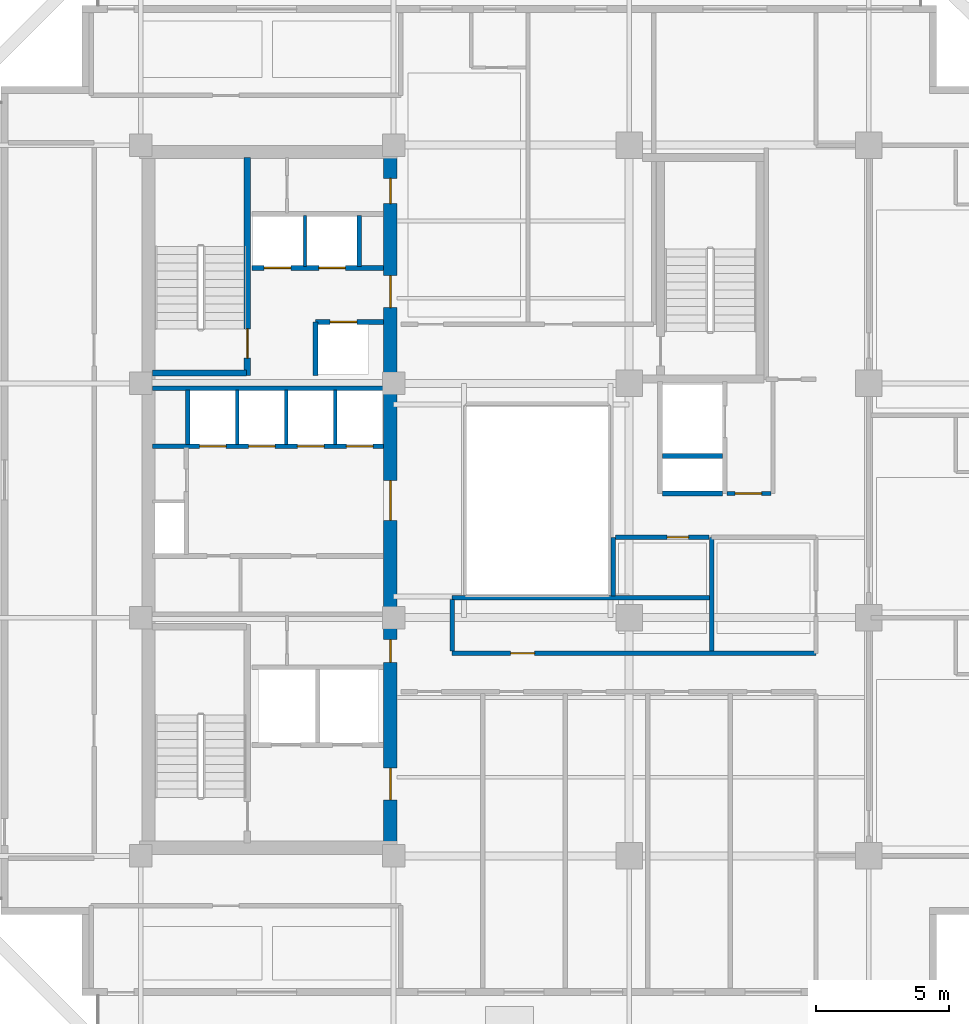
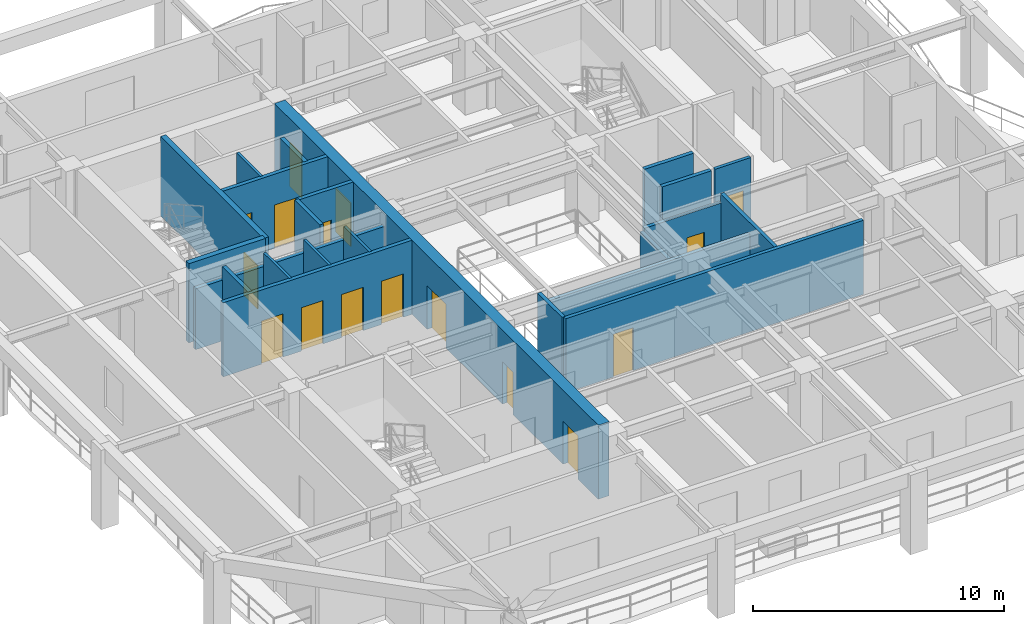
# One storey, part 4 of 11: 23 walls, 16 doors, 16 openings.
"""IFC4 building model written with IfcOpenShell, lengths in metres."""

from ifc_helpers import new_model, si_unit, direction, frame, frame_2d, origin, place, context, subcontext, project, spatial, rectangle, extrude, material, layer, layer_set, type_object, element, fill, save


model = new_model("IFC4")

# Units and contexts
model_context = context("Model", 3, precision=1e-05, world=origin(), true_north=direction((0.0, 1.0)))
body_context = subcontext(model_context, "Body", "Model", "MODEL_VIEW")
ifc_project = project(units=[si_unit("LENGTHUNIT", "METRE"), si_unit("AREAUNIT", "SQUARE_METRE"), si_unit("VOLUMEUNIT", "CUBIC_METRE"), si_unit("PLANEANGLEUNIT", "RADIAN"), si_unit("MASSUNIT", "GRAM", prefix="KILO")], contexts=[model_context])

# Site, building, storey
site_placement = place(None, origin())
site = spatial("IfcSite", under=ifc_project, at=site_placement, CompositionType="ELEMENT")
building_placement = place(site_placement, origin())
building = spatial("IfcBuilding", under=site, at=building_placement, Name="Kundavana Baori Tower", CompositionType="ELEMENT")
storey_placement = place(building_placement, frame((0.0, 0.0, 146.35009765625)))
storey = spatial("IfcBuildingStorey", under=building, at=storey_placement, Name="L35", CompositionType="ELEMENT", Elevation=146.35009765625)

# Wall, opening, door
ifc_material_1 = material(Name="Concrete C50/60", Category="concrete")
ifc_layer_1 = layer(ifc_material_1, 0.39990234375, Name="WL-CORE-400")
ifc_layer_set_1 = layer_set([ifc_layer_1], Name="Concrete C50/60")
wall_type_1 = type_object("IfcWallType", Name="WL-CORE-400", PredefinedType="SHEAR", material=ifc_layer_set_1)
wall_1_placement = place(storey_placement, frame((19.4599609375, 33.300048828125, 0.0), z_axis=(0.0, 0.0, 1.0), x_axis=(0.0, 1.0, 0.0)))
wall_1 = element("IfcWall", 1, at=wall_1_placement, inside=storey, type_object=wall_type_1, Name="WL-L35-ST2-E", PredefinedType="SHEAR", context=body_context, shape_type="SweptSolid", body=[
    extrude(rectangle(XDim=8.179931640625, YDim=0.239990234375, at=frame_2d((4.08984375, 0.0))), origin(), (0.0, 0.0, 1.0), 3.849853515625),
])
opening_1_placement = place(wall_1_placement, frame((0.64990234375, 0.0, 0.0)))
opening_1 = element("IfcOpeningElement", 2, at=opening_1_placement, cuts=wall_1, Name="Opening FD-110", PredefinedType="OPENING", context=body_context, shape_type="SweptSolid", body=[
    extrude(rectangle(XDim=1.10009765625, YDim=2.10009765625, at=frame_2d((0.550048828125, 1.050048828125))), frame((0.0, 0.1298828125, 0.0), z_axis=(0.0, -1.0, 0.0), x_axis=(1.0, 0.0, 0.0)), (0.0, 0.0, 1.0), 0.260009765625),
])
ifc_material_2 = material(Name="Galvanised Steel Fire-Rated Door Leaf", Category="steel")
door_type_1 = type_object("IfcDoorType", Name="DR-FD120-1100", OperationType="NOTDEFINED", PredefinedType="DOOR", material=ifc_material_2)
door_1_placement = place(opening_1_placement, origin())
door_1 = element("IfcDoor", 3, at=door_1_placement, inside=storey, type_object=door_type_1, Name="DR-L35-ST2", OperationType="SINGLE_SWING_RIGHT", OverallHeight=2.10009765625, OverallWidth=1.10009765625, PredefinedType="DOOR", context=body_context, shape_type="SweptSolid", body=[
    extrude(rectangle(XDim=1.10009765625, YDim=2.10009765625, at=frame_2d((0.550048828125, 1.050048828125))), frame((0.0, 0.02490234375, 0.0), z_axis=(0.0, -1.0, 0.0), x_axis=(1.0, 0.0, 0.0)), (0.0, 0.0, 1.0), 0.050048828125),
])
fill(opening_1, door_1)

# Wall
wall_2_placement = place(storey_placement, frame((15.89990234375, 33.389892578125, 0.0), z_axis=(0.0, 0.0, 1.0), x_axis=(1.0, 0.0, 0.0)))
element("IfcWall", 4, at=wall_2_placement, inside=storey, type_object=wall_type_1, Name="WL-L35-ST2-S", PredefinedType="SHEAR", context=body_context, shape_type="SweptSolid", body=[
    extrude(rectangle(XDim=3.52001953125, YDim=0.239990234375, at=frame_2d((1.760009765625, 0.0))), origin(), (0.0, 0.0, 1.0), 3.849853515625),
])

# Wall, openings, doors
ifc_material_3 = material(Name="Concrete C50/60", Category="concrete")
ifc_layer_2 = layer(ifc_material_3, 0.5, Name="WL-CORE-500")
ifc_layer_set_2 = layer_set([ifc_layer_2], Name="Concrete C50/60")
wall_type_2 = type_object("IfcWallType", Name="WL-CORE-500", PredefinedType="SHEAR", material=ifc_layer_set_2)
wall_3_placement = place(storey_placement, frame((24.830078125, 15.739990234375, 0.0), z_axis=(0.0, 0.0, 1.0), x_axis=(0.0, 1.0, 0.0)))
wall_3 = element("IfcWall", 5, at=wall_3_placement, inside=storey, type_object=wall_type_2, Name="L35 Offset Core East Shear Wall", PredefinedType="SHEAR", context=body_context, shape_type="SweptSolid", body=[
    extrude(rectangle(XDim=25.760009765625, YDim=0.5, at=frame_2d((12.8798828125, 0.0))), origin(), (0.0, 0.0, 1.0), 3.599853515625),
])
opening_2_placement = place(wall_3_placement, frame((1.610107421875, 0.0, 0.0)))
opening_2 = element("IfcOpeningElement", 6, at=opening_2_placement, cuts=wall_3, Name="Opening FD-120", PredefinedType="OPENING", context=body_context, shape_type="SweptSolid", body=[
    extrude(rectangle(XDim=1.199951171875, YDim=2.10009765625, at=frame_2d((0.60009765625, 1.050048828125))), frame((0.0, 0.260009765625, 0.0), z_axis=(0.0, -1.0, 0.0), x_axis=(1.0, 0.0, 0.0)), (0.0, 0.0, 1.0), 0.52001953125),
])
opening_3_placement = place(wall_3_placement, frame((6.780029296875, 0.0, 0.0)))
opening_3 = element("IfcOpeningElement", 7, at=opening_3_placement, cuts=wall_3, Name="Opening FD-085", PredefinedType="OPENING", context=body_context, shape_type="SweptSolid", body=[
    extrude(rectangle(XDim=0.85009765625, YDim=2.06005859375, at=frame_2d((0.425048828125, 1.030029296875))), frame((0.0, 0.260009765625, 0.0), z_axis=(0.0, -1.0, 0.0), x_axis=(1.0, 0.0, 0.0)), (0.0, 0.0, 1.0), 0.52001953125),
])
opening_4_placement = place(wall_3_placement, frame((12.110107421875, 0.0, 0.0)))
opening_4 = element("IfcOpeningElement", 8, at=opening_4_placement, cuts=wall_3, Name="Opening FD-150", PredefinedType="OPENING", context=body_context, shape_type="SweptSolid", body=[
    extrude(rectangle(XDim=1.5, YDim=2.1201171875, at=frame_2d((0.75, 1.06005859375))), frame((0.0, 0.260009765625, 0.0), z_axis=(0.0, -1.0, 0.0), x_axis=(1.0, 0.0, 0.0)), (0.0, 0.0, 1.0), 0.52001953125),
])
opening_5_placement = place(wall_3_placement, frame((20.110107421875, 0.0, 0.0)))
opening_5 = element("IfcOpeningElement", 9, at=opening_5_placement, cuts=wall_3, Name="Opening FD-122", PredefinedType="OPENING", context=body_context, shape_type="SweptSolid", body=[
    extrude(rectangle(XDim=1.199951171875, YDim=2.1201171875, at=frame_2d((0.60009765625, 1.06005859375))), frame((0.0, 0.260009765625, 0.0), z_axis=(0.0, -1.0, 0.0), x_axis=(1.0, 0.0, 0.0)), (0.0, 0.0, 1.0), 0.52001953125),
])
opening_6_placement = place(wall_3_placement, frame((24.010009765625, 0.0, 0.0)))
opening_6 = element("IfcOpeningElement", 10, at=opening_6_placement, cuts=wall_3, Name="Opening FD-095", PredefinedType="OPENING", context=body_context, shape_type="SweptSolid", body=[
    extrude(rectangle(XDim=0.949951171875, YDim=2.10009765625, at=frame_2d((0.47509765625, 1.050048828125))), frame((0.0, 0.260009765625, 0.0), z_axis=(0.0, -1.0, 0.0), x_axis=(1.0, 0.0, 0.0)), (0.0, 0.0, 1.0), 0.52001953125),
])
ifc_material_4 = material(Name="Galvanised Steel Fire-Rated Door Leaf", Category="steel")
door_type_2 = type_object("IfcDoorType", Name="DR-FD120-1200", OperationType="NOTDEFINED", PredefinedType="DOOR", material=ifc_material_4)
door_2_placement = place(opening_2_placement, frame((1.199951171875, 0.0, 0.0), z_axis=(0.0, 0.0, 1.0), x_axis=(-1.0, 0.0, 0.0)))
door_2 = element("IfcDoor", 11, at=door_2_placement, inside=storey, type_object=door_type_2, Name="DR-L35-FFLOB-E", OperationType="SINGLE_SWING_RIGHT", OverallHeight=2.10009765625, OverallWidth=1.199951171875, PredefinedType="DOOR", context=body_context, shape_type="SweptSolid", body=[
    extrude(rectangle(XDim=1.199951171875, YDim=2.10009765625, at=frame_2d((0.60009765625, 1.050048828125))), frame((0.0, 0.02490234375, 0.0), z_axis=(0.0, -1.0, 0.0), x_axis=(1.0, 0.0, 0.0)), (0.0, 0.0, 1.0), 0.050048828125),
])
fill(opening_2, door_2)
ifc_material_5 = material(Name="Galvanised Steel Fire-Rated Door Leaf", Category="steel")
door_type_3 = type_object("IfcDoorType", Name="DR-FD60-1200", OperationType="NOTDEFINED", PredefinedType="DOOR", material=ifc_material_5)
door_3_placement = place(opening_5_placement, frame((1.199951171875, 0.0, 0.0), z_axis=(0.0, 0.0, 1.0), x_axis=(-1.0, 0.0, 0.0)))
door_3 = element("IfcDoor", 12, at=door_3_placement, inside=storey, type_object=door_type_3, Name="DR-L35-HRLOB-E", OperationType="SINGLE_SWING_RIGHT", OverallHeight=2.1201171875, OverallWidth=1.199951171875, PredefinedType="DOOR", context=body_context, shape_type="SweptSolid", body=[
    extrude(rectangle(XDim=1.199951171875, YDim=2.1201171875, at=frame_2d((0.60009765625, 1.06005859375))), frame((0.0, 0.02490234375, 0.0), z_axis=(0.0, -1.0, 0.0), x_axis=(1.0, 0.0, 0.0)), (0.0, 0.0, 1.0), 0.050048828125),
])
fill(opening_5, door_3)
ifc_material_6 = material(Name="Galvanised Steel Fire-Rated Door Leaf", Category="steel")
door_type_4 = type_object("IfcDoorType", Name="DR-FD60-1500", OperationType="NOTDEFINED", PredefinedType="DOOR", material=ifc_material_6)
door_4_placement = place(opening_4_placement, frame((1.5, 0.0, 0.0), z_axis=(0.0, 0.0, 1.0), x_axis=(-1.0, 0.0, 0.0)))
door_4 = element("IfcDoor", 13, at=door_4_placement, inside=storey, type_object=door_type_4, Name="DR-L35-LIFTHALL-E", OperationType="SINGLE_SWING_LEFT", OverallHeight=2.1201171875, OverallWidth=1.5, PredefinedType="DOOR", context=body_context, shape_type="SweptSolid", body=[
    extrude(rectangle(XDim=1.5, YDim=2.1201171875, at=frame_2d((0.75, 1.06005859375))), frame((0.0, 0.02490234375, 0.0), z_axis=(0.0, -1.0, 0.0), x_axis=(1.0, 0.0, 0.0)), (0.0, 0.0, 1.0), 0.050048828125),
])
fill(opening_4, door_4)
ifc_material_7 = material(Name="Galvanised Steel Fire-Rated Door Leaf", Category="steel")
door_type_5 = type_object("IfcDoorType", Name="DR-FD60-850", OperationType="NOTDEFINED", PredefinedType="DOOR", material=ifc_material_7)
door_5_placement = place(opening_3_placement, frame((0.85009765625, 0.0, 0.0), z_axis=(0.0, 0.0, 1.0), x_axis=(-1.0, 0.0, 0.0)))
door_5 = element("IfcDoor", 14, at=door_5_placement, inside=storey, type_object=door_type_5, Name="DR-L35-CSMK2", OperationType="SINGLE_SWING_LEFT", OverallHeight=2.06005859375, OverallWidth=0.85009765625, PredefinedType="DOOR", context=body_context, shape_type="SweptSolid", body=[
    extrude(rectangle(XDim=0.85009765625, YDim=2.06005859375, at=frame_2d((0.425048828125, 1.030029296875))), frame((0.0, 0.02490234375, 0.0), z_axis=(0.0, -1.0, 0.0), x_axis=(1.0, 0.0, 0.0)), (0.0, 0.0, 1.0), 0.050048828125),
])
fill(opening_3, door_5)
ifc_material_8 = material(Name="Engineered Teak Fire-Rated Timber Door Leaf", Category="wood")
door_type_6 = type_object("IfcDoorType", Name="DR-FD60-950", OperationType="NOTDEFINED", PredefinedType="DOOR", material=ifc_material_8)
door_6_placement = place(opening_6_placement, frame((0.949951171875, 0.0, 0.0), z_axis=(0.0, 0.0, 1.0), x_axis=(-1.0, 0.0, 0.0)))
door_6 = element("IfcDoor", 15, at=door_6_placement, inside=storey, type_object=door_type_6, Name="DR-L35-CSRV2", OperationType="SINGLE_SWING_LEFT", OverallHeight=2.10009765625, OverallWidth=0.949951171875, PredefinedType="DOOR", context=body_context, shape_type="SweptSolid", body=[
    extrude(rectangle(XDim=0.949951171875, YDim=2.10009765625, at=frame_2d((0.47509765625, 1.050048828125))), frame((0.0, 0.02490234375, 0.0), z_axis=(0.0, -1.0, 0.0), x_axis=(1.0, 0.0, 0.0)), (0.0, 0.0, 1.0), 0.050048828125),
])
fill(opening_6, door_6)

# Walls
ifc_material_9 = material(Name="Acoustic Gypsum Plasterboard on Galvanised Steel Studs", Category="steel")
ifc_layer_3 = layer(ifc_material_9, 0.1201171875, Name="WL-PART-120")
ifc_layer_set_3 = layer_set([ifc_layer_3], Name="Acoustic Gypsum Plasterboard on Galvanised Steel Studs")
wall_type_3 = type_object("IfcWallType", Name="WL-PART-120", PredefinedType="PARTITIONING", material=ifc_layer_set_3)
for number, where, z_axis, x_axis, name in (
    (16, (19.080078125, 30.699951171875, 0.0), (0.0, 0.0, 1.0), (0.0, 1.0, 0.0), "WL-L35-LPMID-D1"),
    (17, (20.919921875, 30.699951171875, 0.0), (0.0, 0.0, 1.0), (0.0, 1.0, 0.0), "WL-L35-LPMID-D2"),
    (18, (22.760009765625, 30.699951171875, 0.0), (0.0, 0.0, 1.0), (0.0, 1.0, 0.0), "WL-L35-LPMID-D3"),
):
    element("IfcWall", number, at=place(storey_placement, frame(where, z_axis=z_axis, x_axis=x_axis)), inside=storey, type_object=wall_type_3, Name=name, PredefinedType="PARTITIONING", context=body_context, shape_type="SweptSolid", body=[
        extrude(rectangle(XDim=2.050048828125, YDim=0.1201171875, at=frame_2d((1.02490234375, 0.0))), origin(), (0.0, 0.0, 1.0), 3.599853515625),
    ])
wall_4_placement = place(storey_placement, frame((21.6201171875, 37.39990234375, 0.0), z_axis=(0.0, 0.0, 1.0), x_axis=(0.0, 1.0, 0.0)))
element("IfcWall", 19, at=wall_4_placement, inside=storey, type_object=wall_type_3, Name="WL-L35-HR-DIV1", PredefinedType="PARTITIONING", context=body_context, shape_type="SweptSolid", body=[
    extrude(rectangle(XDim=1.900146484375, YDim=0.1201171875, at=frame_2d((0.9501953125, 0.0))), origin(), (0.0, 0.0, 1.0), 3.599853515625),
])

# Wall, opening, door
ifc_material_10 = material(Name="Fire-Rated Gypsum Drywall on Galvanised Steel Studs", Category="steel")
ifc_layer_4 = layer(ifc_material_10, 0.14990234375, Name="WL-PART-150")
ifc_layer_set_4 = layer_set([ifc_layer_4], Name="Fire-Rated Gypsum Drywall on Galvanised Steel Studs")
wall_type_4 = type_object("IfcWallType", Name="WL-PART-150", PredefinedType="PARTITIONING", material=ifc_layer_set_4)
wall_5_placement = place(storey_placement, frame((37.47998046875, 28.860107421875, 0.0), z_axis=(0.0, 0.0, 1.0), x_axis=(1.0, 0.0, 0.0)))
wall_5 = element("IfcWall", 20, at=wall_5_placement, inside=storey, type_object=wall_type_4, Name="WL-L35-SVLOB-S", PredefinedType="PARTITIONING", context=body_context, shape_type="SweptSolid", body=[
    extrude(rectangle(XDim=1.64013671875, YDim=0.14990234375, at=frame_2d((0.820068359375, 0.0))), origin(), (0.0, 0.0, 1.0), 3.599853515625),
])
opening_7_placement = place(wall_5_placement, frame((0.300048828125, 0.0, 0.0)))
opening_7 = element("IfcOpeningElement", 21, at=opening_7_placement, cuts=wall_5, Name="Opening FD-100", PredefinedType="OPENING", context=body_context, shape_type="SweptSolid", body=[
    extrude(rectangle(XDim=1.0, YDim=2.10009765625, at=frame_2d((0.5, 1.050048828125))), frame((0.0, 0.0849609375, 0.0), z_axis=(0.0, -1.0, 0.0), x_axis=(1.0, 0.0, 0.0)), (0.0, 0.0, 1.0), 0.169921875),
])
ifc_material_11 = material(Name="Engineered Teak Fire-Rated Timber Door Leaf", Category="wood")
door_type_7 = type_object("IfcDoorType", Name="DR-FD60-1000", OperationType="NOTDEFINED", PredefinedType="DOOR", material=ifc_material_11)
door_7_placement = place(opening_7_placement, origin())
door_7 = element("IfcDoor", 22, at=door_7_placement, inside=storey, type_object=door_type_7, Name="DR-L35-SVLOB-OUT", OperationType="SINGLE_SWING_LEFT", OverallHeight=2.10009765625, OverallWidth=1.0, PredefinedType="DOOR", context=body_context, shape_type="SweptSolid", body=[
    extrude(rectangle(XDim=1.0, YDim=2.10009765625, at=frame_2d((0.5, 1.050048828125))), frame((0.0, 0.02490234375, 0.0), z_axis=(0.0, -1.0, 0.0), x_axis=(1.0, 0.0, 0.0)), (0.0, 0.0, 1.0), 0.050048828125),
])
fill(opening_7, door_7)

ifc_material_12 = material(Name="Fire-Rated Gypsum Drywall on Galvanised Steel Studs", Category="steel")
ifc_layer_5 = layer(ifc_material_12, 0.1650390625, Name="WL-PART-165")
ifc_layer_set_5 = layer_set([ifc_layer_5], Name="Fire-Rated Gypsum Drywall on Galvanised Steel Studs")
wall_type_5 = type_object("IfcWallType", Name="WL-PART-165", PredefinedType="PARTITIONING", material=ifc_layer_set_5)
wall_6_placement = place(storey_placement, frame((27.14990234375, 22.860107421875, 0.0), z_axis=(0.0, 0.0, 1.0), x_axis=(1.0, 0.0, 0.0)))
wall_6 = element("IfcWall", 23, at=wall_6_placement, inside=storey, type_object=wall_type_5, Name="WL-L35-HST", PredefinedType="PARTITIONING", context=body_context, shape_type="SweptSolid", body=[
    extrude(rectangle(XDim=13.670166015625, YDim=0.1650390625, at=frame_2d((6.8349609375, 0.0))), origin(), (0.0, 0.0, 1.0), 3.599853515625),
])
opening_8_placement = place(wall_6_placement, frame((2.199951171875, 0.0, 0.0)))
opening_8 = element("IfcOpeningElement", 24, at=opening_8_placement, cuts=wall_6, Name="Opening ID-090", PredefinedType="OPENING", context=body_context, shape_type="SweptSolid", body=[
    extrude(rectangle(XDim=0.89990234375, YDim=2.080078125, at=frame_2d((0.449951171875, 1.0400390625))), frame((0.0, 0.092529296875, 0.0), z_axis=(0.0, -1.0, 0.0), x_axis=(1.0, 0.0, 0.0)), (0.0, 0.0, 1.0), 0.18505859375),
])
ifc_material_13 = material(Name="Engineered Teak Solid-Core Timber Veneer", Category="wood")
door_type_8 = type_object("IfcDoorType", Name="DR-INT-900", OperationType="NOTDEFINED", PredefinedType="DOOR", material=ifc_material_13)
door_8_placement = place(opening_8_placement, origin())
door_8 = element("IfcDoor", 25, at=door_8_placement, inside=storey, type_object=door_type_8, Name="DR-L35-HPNT", OperationType="SINGLE_SWING_LEFT", OverallHeight=2.080078125, OverallWidth=0.89990234375, PredefinedType="DOOR", context=body_context, shape_type="SweptSolid", body=[
    extrude(rectangle(XDim=0.89990234375, YDim=2.080078125, at=frame_2d((0.449951171875, 1.0400390625))), frame((0.0, 0.02490234375, 0.0), z_axis=(0.0, -1.0, 0.0), x_axis=(1.0, 0.0, 0.0)), (0.0, 0.0, 1.0), 0.050048828125),
])
fill(opening_8, door_8)

# Walls
wall_7_placement = place(storey_placement, frame((36.89990234375, 22.93994140625, 0.0), z_axis=(0.0, 0.0, 1.0), x_axis=(0.0, 1.0, 0.0)))
element("IfcWall", 26, at=wall_7_placement, inside=storey, type_object=wall_type_5, Name="WL-L35-HKD", PredefinedType="PARTITIONING", context=body_context, shape_type="SweptSolid", body=[
    extrude(rectangle(XDim=4.280029296875, YDim=0.1650390625, at=frame_2d((2.14013671875, 0.0))), origin(), (0.0, 0.0, 1.0), 3.599853515625),
])
wall_8_placement = place(storey_placement, frame((27.14990234375, 24.949951171875, 0.0), z_axis=(0.0, 0.0, 1.0), x_axis=(1.0, 0.0, 0.0)))
element("IfcWall", 27, at=wall_8_placement, inside=storey, type_object=wall_type_5, Name="WL-L35-HPN1", PredefinedType="PARTITIONING", context=body_context, shape_type="SweptSolid", body=[
    extrude(rectangle(XDim=9.670166015625, YDim=0.1650390625, at=frame_2d((4.8349609375, 0.0))), origin(), (0.0, 0.0, 1.0), 3.0498046875),
])
wall_9_placement = place(storey_placement, frame((27.14990234375, 22.93994140625, 0.0), z_axis=(0.0, 0.0, 1.0), x_axis=(0.0, 1.0, 0.0)))
element("IfcWall", 28, at=wall_9_placement, inside=storey, type_object=wall_type_5, Name="WL-L35-HPN2", PredefinedType="PARTITIONING", context=body_context, shape_type="SweptSolid", body=[
    extrude(rectangle(XDim=1.93994140625, YDim=0.1650390625, at=frame_2d((0.969970703125, 0.0))), origin(), (0.0, 0.0, 1.0), 3.599853515625),
])
wall_10_placement = place(storey_placement, frame((33.199951171875, 25.02001953125, 0.0), z_axis=(0.0, 0.0, 1.0), x_axis=(0.0, 1.0, 0.0)))
element("IfcWall", 29, at=wall_10_placement, inside=storey, type_object=wall_type_5, Name="WL-L35-HASW", PredefinedType="PARTITIONING", context=body_context, shape_type="SweptSolid", body=[
    extrude(rectangle(XDim=2.199951171875, YDim=0.1650390625, at=frame_2d((1.10009765625, 0.0))), origin(), (0.0, 0.0, 1.0), 3.0498046875),
])

# Wall, opening, door
wall_11_placement = place(storey_placement, frame((33.280029296875, 27.219970703125, 0.0), z_axis=(0.0, 0.0, 1.0), x_axis=(1.0, 0.0, 0.0)))
wall_11 = element("IfcWall", 30, at=wall_11_placement, inside=storey, type_object=wall_type_5, Name="WL-L35-HASN", PredefinedType="PARTITIONING", context=body_context, shape_type="SweptSolid", body=[
    extrude(rectangle(XDim=3.52001953125, YDim=0.1650390625, at=frame_2d((1.760009765625, 0.0))), origin(), (0.0, 0.0, 1.0), 3.199951171875),
])
opening_9_placement = place(wall_11_placement, frame((1.949951171875, 0.0, 0.0)))
opening_9 = element("IfcOpeningElement", 31, at=opening_9_placement, cuts=wall_11, Name="Opening WD-080", PredefinedType="OPENING", context=body_context, shape_type="SweptSolid", body=[
    extrude(rectangle(XDim=0.800048828125, YDim=2.050048828125, at=frame_2d((0.39990234375, 1.02490234375))), frame((0.0, 0.092529296875, 0.0), z_axis=(0.0, -1.0, 0.0), x_axis=(1.0, 0.0, 0.0)), (0.0, 0.0, 1.0), 0.18505859375),
])
ifc_material_14 = material(Name="Engineered Teak Solid-Core Timber Veneer", Category="wood")
door_type_9 = type_object("IfcDoorType", Name="DR-WET-800", OperationType="NOTDEFINED", PredefinedType="DOOR", material=ifc_material_14)
door_9_placement = place(opening_9_placement, frame((0.800048828125, 0.0, 0.0), z_axis=(0.0, 0.0, 1.0), x_axis=(-1.0, 0.0, 0.0)))
door_9 = element("IfcDoor", 32, at=door_9_placement, inside=storey, type_object=door_type_9, Name="DR-L35-HLAS", OperationType="SINGLE_SWING_LEFT", OverallHeight=2.050048828125, OverallWidth=0.800048828125, PredefinedType="DOOR", context=body_context, shape_type="SweptSolid", body=[
    extrude(rectangle(XDim=0.800048828125, YDim=2.050048828125, at=frame_2d((0.39990234375, 1.02490234375))), frame((0.0, 0.02490234375, 0.0), z_axis=(0.0, -1.0, 0.0), x_axis=(1.0, 0.0, 0.0)), (0.0, 0.0, 1.0), 0.050048828125),
])
fill(opening_9, door_9)

# Wall, openings, doors
ifc_material_15 = material(Name="Autoclaved Aerated Concrete Blockwork Masonry", Category="masonry")
ifc_layer_6 = layer(ifc_material_15, 0.179931640625, Name="WL-SHAFT-180")
ifc_layer_set_6 = layer_set([ifc_layer_6], Name="Autoclaved Aerated Concrete Blockwork Masonry")
wall_type_6 = type_object("IfcWallType", Name="WL-SHAFT-180", PredefinedType="SOLIDWALL", material=ifc_layer_set_6)
wall_12_placement = place(storey_placement, frame((15.89990234375, 30.639892578125, 0.0), z_axis=(0.0, 0.0, 1.0), x_axis=(1.0, 0.0, 0.0)))
wall_12 = element("IfcWall", 33, at=wall_12_placement, inside=storey, type_object=wall_type_6, Name="WL-L35-LPMID-S", PredefinedType="SOLIDWALL", context=body_context, shape_type="SweptSolid", body=[
    extrude(rectangle(XDim=8.68017578125, YDim=0.179931640625, at=frame_2d((4.340087890625, 0.0))), origin(), (0.0, 0.0, 1.0), 3.599853515625),
])
opening_10_placement = place(wall_12_placement, frame((1.760009765625, 0.0, 0.0)))
opening_10 = element("IfcOpeningElement", 34, at=opening_10_placement, cuts=wall_12, Name="Opening LD-100", PredefinedType="OPENING", context=body_context, shape_type="SweptSolid", body=[
    extrude(rectangle(XDim=1.0, YDim=2.10009765625, at=frame_2d((0.5, 1.050048828125))), frame((0.0, 0.10009765625, 0.0), z_axis=(0.0, -1.0, 0.0), x_axis=(1.0, 0.0, 0.0)), (0.0, 0.0, 1.0), 0.199951171875),
])
opening_11_placement = place(wall_12_placement, frame((3.60009765625, 0.0, 0.0)))
opening_11 = element("IfcOpeningElement", 35, at=opening_11_placement, cuts=wall_12, Name="Opening LD-100", PredefinedType="OPENING", context=body_context, shape_type="SweptSolid", body=[
    extrude(rectangle(XDim=1.0, YDim=2.10009765625, at=frame_2d((0.5, 1.050048828125))), frame((0.0, 0.10009765625, 0.0), z_axis=(0.0, -1.0, 0.0), x_axis=(1.0, 0.0, 0.0)), (0.0, 0.0, 1.0), 0.199951171875),
])
opening_12_placement = place(wall_12_placement, frame((5.43994140625, 0.0, 0.0)))
opening_12 = element("IfcOpeningElement", 36, at=opening_12_placement, cuts=wall_12, Name="Opening LD-100", PredefinedType="OPENING", context=body_context, shape_type="SweptSolid", body=[
    extrude(rectangle(XDim=1.0, YDim=2.10009765625, at=frame_2d((0.5, 1.050048828125))), frame((0.0, 0.10009765625, 0.0), z_axis=(0.0, -1.0, 0.0), x_axis=(1.0, 0.0, 0.0)), (0.0, 0.0, 1.0), 0.199951171875),
])
opening_13_placement = place(wall_12_placement, frame((7.280029296875, 0.0, 0.0)))
opening_13 = element("IfcOpeningElement", 37, at=opening_13_placement, cuts=wall_12, Name="Opening LD-100", PredefinedType="OPENING", context=body_context, shape_type="SweptSolid", body=[
    extrude(rectangle(XDim=1.0, YDim=2.10009765625, at=frame_2d((0.5, 1.050048828125))), frame((0.0, 0.10009765625, 0.0), z_axis=(0.0, -1.0, 0.0), x_axis=(1.0, 0.0, 0.0)), (0.0, 0.0, 1.0), 0.199951171875),
])
ifc_material_16 = material(Name="Galvanised Steel Fire-Rated Door Leaf", Category="steel")
door_type_10 = type_object("IfcDoorType", Name="DR-SLIDE-LD1000", OperationType="NOTDEFINED", PredefinedType="DOOR", material=ifc_material_16)
door_10_placement = place(opening_10_placement, frame((1.0, 0.0, 0.0), z_axis=(0.0, 0.0, 1.0), x_axis=(-1.0, 0.0, 0.0)))
door_10 = element("IfcDoor", 38, at=door_10_placement, inside=storey, type_object=door_type_10, Name="DR-L35-LD-LP-05", OperationType="DOUBLE_DOOR_SLIDING", OverallHeight=2.10009765625, OverallWidth=1.0, PredefinedType="DOOR", context=body_context, shape_type="SweptSolid", body=[
    extrude(rectangle(XDim=1.0, YDim=2.10009765625, at=frame_2d((0.5, 1.050048828125))), frame((0.0, 0.02490234375, 0.0), z_axis=(0.0, -1.0, 0.0), x_axis=(1.0, 0.0, 0.0)), (0.0, 0.0, 1.0), 0.050048828125),
])
fill(opening_10, door_10)
door_11_placement = place(opening_11_placement, frame((1.0, 0.0, 0.0), z_axis=(0.0, 0.0, 1.0), x_axis=(-1.0, 0.0, 0.0)))
door_11 = element("IfcDoor", 39, at=door_11_placement, inside=storey, type_object=door_type_10, Name="DR-L35-LD-LP-06", OperationType="DOUBLE_DOOR_SLIDING", OverallHeight=2.10009765625, OverallWidth=1.0, PredefinedType="DOOR", context=body_context, shape_type="SweptSolid", body=[
    extrude(rectangle(XDim=1.0, YDim=2.10009765625, at=frame_2d((0.5, 1.050048828125))), frame((0.0, 0.02490234375, 0.0), z_axis=(0.0, -1.0, 0.0), x_axis=(1.0, 0.0, 0.0)), (0.0, 0.0, 1.0), 0.050048828125),
])
fill(opening_11, door_11)
door_12_placement = place(opening_12_placement, frame((1.0, 0.0, 0.0), z_axis=(0.0, 0.0, 1.0), x_axis=(-1.0, 0.0, 0.0)))
door_12 = element("IfcDoor", 40, at=door_12_placement, inside=storey, type_object=door_type_10, Name="DR-L35-LD-LP-07", OperationType="DOUBLE_DOOR_SLIDING", OverallHeight=2.10009765625, OverallWidth=1.0, PredefinedType="DOOR", context=body_context, shape_type="SweptSolid", body=[
    extrude(rectangle(XDim=1.0, YDim=2.10009765625, at=frame_2d((0.5, 1.050048828125))), frame((0.0, 0.02490234375, 0.0), z_axis=(0.0, -1.0, 0.0), x_axis=(1.0, 0.0, 0.0)), (0.0, 0.0, 1.0), 0.050048828125),
])
fill(opening_12, door_12)
door_13_placement = place(opening_13_placement, frame((1.0, 0.0, 0.0), z_axis=(0.0, 0.0, 1.0), x_axis=(-1.0, 0.0, 0.0)))
door_13 = element("IfcDoor", 41, at=door_13_placement, inside=storey, type_object=door_type_10, Name="DR-L35-LD-LP-08", OperationType="DOUBLE_DOOR_SLIDING", OverallHeight=2.10009765625, OverallWidth=1.0, PredefinedType="DOOR", context=body_context, shape_type="SweptSolid", body=[
    extrude(rectangle(XDim=1.0, YDim=2.10009765625, at=frame_2d((0.5, 1.050048828125))), frame((0.0, 0.02490234375, 0.0), z_axis=(0.0, -1.0, 0.0), x_axis=(1.0, 0.0, 0.0)), (0.0, 0.0, 1.0), 0.050048828125),
])
fill(opening_13, door_13)

# Walls
wall_13_placement = place(storey_placement, frame((15.89990234375, 32.820068359375, 0.0), z_axis=(0.0, 0.0, 1.0), x_axis=(1.0, 0.0, 0.0)))
element("IfcWall", 42, at=wall_13_placement, inside=storey, type_object=wall_type_6, Name="WL-L35-LPMID-N", PredefinedType="SOLIDWALL", context=body_context, shape_type="SweptSolid", body=[
    extrude(rectangle(XDim=8.68017578125, YDim=0.179931640625, at=frame_2d((4.340087890625, 0.0))), origin(), (0.0, 0.0, 1.0), 2.949951171875),
])
wall_14_placement = place(storey_placement, frame((17.219970703125, 30.699951171875, 0.0), z_axis=(0.0, 0.0, 1.0), x_axis=(0.0, 1.0, 0.0)))
element("IfcWall", 43, at=wall_14_placement, inside=storey, type_object=wall_type_6, Name="WL-L35-LPMID-W", PredefinedType="SOLIDWALL", context=body_context, shape_type="SweptSolid", body=[
    extrude(rectangle(XDim=2.050048828125, YDim=0.179931640625, at=frame_2d((1.02490234375, 0.0))), origin(), (0.0, 0.0, 1.0), 3.599853515625),
])

# Wall, opening, door
wall_15_placement = place(storey_placement, frame((22.02001953125, 35.31005859375, 0.0), z_axis=(0.0, 0.0, 1.0), x_axis=(1.0, 0.0, 0.0)))
wall_15 = element("IfcWall", 44, at=wall_15_placement, inside=storey, type_object=wall_type_6, Name="WL-L35-LP11-N", PredefinedType="SOLIDWALL", context=body_context, shape_type="SweptSolid", body=[
    extrude(rectangle(XDim=2.56005859375, YDim=0.179931640625, at=frame_2d((1.280029296875, 0.0))), origin(), (0.0, 0.0, 1.0), 3.599853515625),
])
opening_14_placement = place(wall_15_placement, frame((0.550048828125, 0.0, 0.0)))
opening_14 = element("IfcOpeningElement", 45, at=opening_14_placement, cuts=wall_15, Name="Opening LD-100", PredefinedType="OPENING", context=body_context, shape_type="SweptSolid", body=[
    extrude(rectangle(XDim=1.0, YDim=2.10009765625, at=frame_2d((0.5, 1.050048828125))), frame((0.0, 0.10009765625, 0.0), z_axis=(0.0, -1.0, 0.0), x_axis=(1.0, 0.0, 0.0)), (0.0, 0.0, 1.0), 0.199951171875),
])
door_14_placement = place(opening_14_placement, origin())
door_14 = element("IfcDoor", 46, at=door_14_placement, inside=storey, type_object=door_type_10, Name="DR-L35-LD-LP11", OperationType="DOUBLE_DOOR_SLIDING", OverallHeight=2.10009765625, OverallWidth=1.0, PredefinedType="DOOR", context=body_context, shape_type="SweptSolid", body=[
    extrude(rectangle(XDim=1.0, YDim=2.10009765625, at=frame_2d((0.5, 1.050048828125))), frame((0.0, 0.02490234375, 0.0), z_axis=(0.0, -1.0, 0.0), x_axis=(1.0, 0.0, 0.0)), (0.0, 0.0, 1.0), 0.050048828125),
])
fill(opening_14, door_14)

# Wall
wall_16_placement = place(storey_placement, frame((22.02001953125, 33.300048828125, 0.0), z_axis=(0.0, 0.0, 1.0), x_axis=(0.0, 1.0, 0.0)))
element("IfcWall", 47, at=wall_16_placement, inside=storey, type_object=wall_type_6, Name="WL-L35-LP11-W", PredefinedType="SOLIDWALL", context=body_context, shape_type="SweptSolid", body=[
    extrude(rectangle(XDim=2.010009765625, YDim=0.179931640625, at=frame_2d((1.0048828125, 0.0))), origin(), (0.0, 0.0, 1.0), 3.599853515625),
])

# Wall, openings, doors
wall_17_placement = place(storey_placement, frame((19.639892578125, 37.340087890625, 0.0), z_axis=(0.0, 0.0, 1.0), x_axis=(1.0, 0.0, 0.0)))
wall_17 = element("IfcWall", 48, at=wall_17_placement, inside=storey, type_object=wall_type_6, Name="WL-L35-HRLOB-N", PredefinedType="SOLIDWALL", context=body_context, shape_type="SweptSolid", body=[
    extrude(rectangle(XDim=4.940185546875, YDim=0.179931640625, at=frame_2d((2.47021484375, 0.0))), origin(), (0.0, 0.0, 1.0), 3.599853515625),
])
opening_15_placement = place(wall_17_placement, frame((0.449951171875, 0.0, 0.0)))
opening_15 = element("IfcOpeningElement", 49, at=opening_15_placement, cuts=wall_17, Name="Opening LD-100", PredefinedType="OPENING", context=body_context, shape_type="SweptSolid", body=[
    extrude(rectangle(XDim=1.0, YDim=2.10009765625, at=frame_2d((0.5, 1.050048828125))), frame((0.0, 0.10009765625, 0.0), z_axis=(0.0, -1.0, 0.0), x_axis=(1.0, 0.0, 0.0)), (0.0, 0.0, 1.0), 0.199951171875),
])
opening_16_placement = place(wall_17_placement, frame((2.5, 0.0, 0.0)))
opening_16 = element("IfcOpeningElement", 50, at=opening_16_placement, cuts=wall_17, Name="Opening LD-100", PredefinedType="OPENING", context=body_context, shape_type="SweptSolid", body=[
    extrude(rectangle(XDim=1.0, YDim=2.10009765625, at=frame_2d((0.5, 1.050048828125))), frame((0.0, 0.10009765625, 0.0), z_axis=(0.0, -1.0, 0.0), x_axis=(1.0, 0.0, 0.0)), (0.0, 0.0, 1.0), 0.199951171875),
])
door_15_placement = place(opening_15_placement, frame((1.0, 0.0, 0.0), z_axis=(0.0, 0.0, 1.0), x_axis=(-1.0, 0.0, 0.0)))
door_15 = element("IfcDoor", 51, at=door_15_placement, inside=storey, type_object=door_type_10, Name="DR-L35-LD-LP09", OperationType="DOUBLE_DOOR_SLIDING", OverallHeight=2.10009765625, OverallWidth=1.0, PredefinedType="DOOR", context=body_context, shape_type="SweptSolid", body=[
    extrude(rectangle(XDim=1.0, YDim=2.10009765625, at=frame_2d((0.5, 1.050048828125))), frame((0.0, 0.02490234375, 0.0), z_axis=(0.0, -1.0, 0.0), x_axis=(1.0, 0.0, 0.0)), (0.0, 0.0, 1.0), 0.050048828125),
])
fill(opening_15, door_15)
door_16_placement = place(opening_16_placement, frame((1.0, 0.0, 0.0), z_axis=(0.0, 0.0, 1.0), x_axis=(-1.0, 0.0, 0.0)))
door_16 = element("IfcDoor", 52, at=door_16_placement, inside=storey, type_object=door_type_10, Name="DR-L35-LD-LP10", OperationType="DOUBLE_DOOR_SLIDING", OverallHeight=2.10009765625, OverallWidth=1.0, PredefinedType="DOOR", context=body_context, shape_type="SweptSolid", body=[
    extrude(rectangle(XDim=1.0, YDim=2.10009765625, at=frame_2d((0.5, 1.050048828125))), frame((0.0, 0.02490234375, 0.0), z_axis=(0.0, -1.0, 0.0), x_axis=(1.0, 0.0, 0.0)), (0.0, 0.0, 1.0), 0.050048828125),
])
fill(opening_16, door_16)

# Walls
wall_18_placement = place(storey_placement, frame((23.659912109375, 37.39990234375, 0.0), z_axis=(0.0, 0.0, 1.0), x_axis=(0.0, 1.0, 0.0)))
element("IfcWall", 53, at=wall_18_placement, inside=storey, type_object=wall_type_6, Name="WL-L35-HR-DIV2", PredefinedType="SOLIDWALL", context=body_context, shape_type="SweptSolid", body=[
    extrude(rectangle(XDim=1.900146484375, YDim=0.179931640625, at=frame_2d((0.9501953125, 0.0))), origin(), (0.0, 0.0, 1.0), 3.599853515625),
])
for number, where, z_axis, x_axis, name in (
    (54, (35.050048828125, 28.860107421875, 0.0), (0.0, 0.0, 1.0), (1.0, 0.0, 0.0), "WL-L35-SVL-S"),
    (55, (35.050048828125, 30.27001953125, 0.0), (0.0, 0.0, 1.0), (1.0, 0.0, 0.0), "WL-L35-SVL-M"),
):
    element("IfcWall", number, at=place(storey_placement, frame(where, z_axis=z_axis, x_axis=x_axis)), inside=storey, type_object=wall_type_6, Name=name, PredefinedType="SOLIDWALL", context=body_context, shape_type="SweptSolid", body=[
        extrude(rectangle(XDim=2.25, YDim=0.179931640625, at=frame_2d((1.125, 0.0))), origin(), (0.0, 0.0, 1.0), 3.599853515625),
    ])

save(model, "model.ifc")
